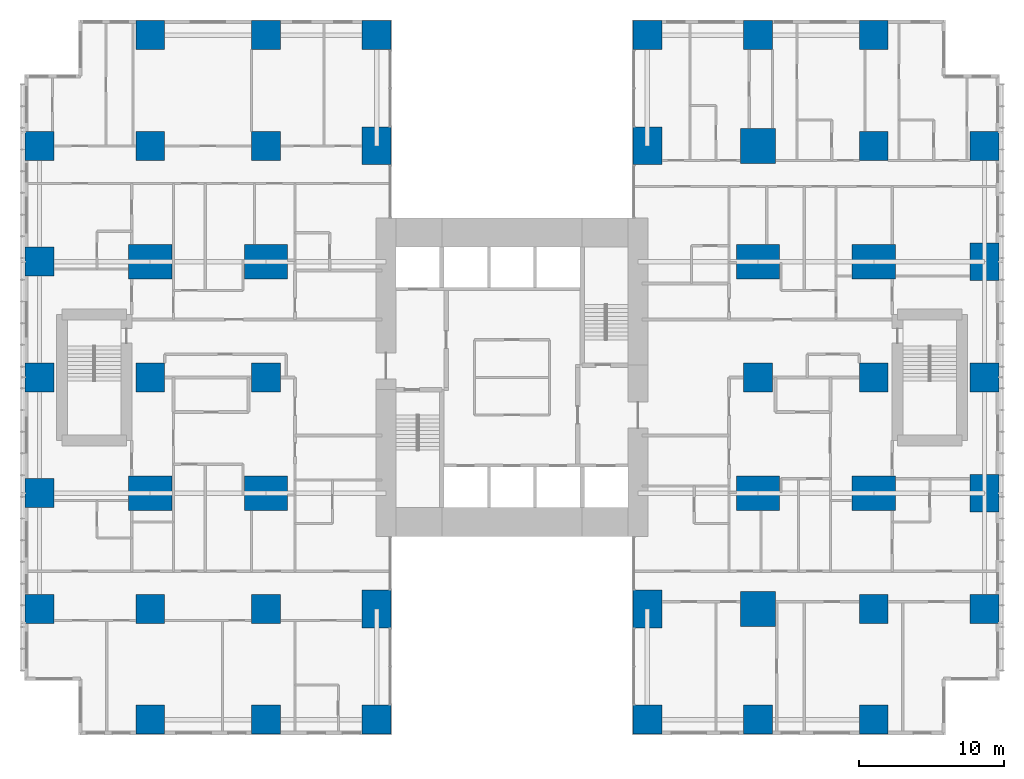
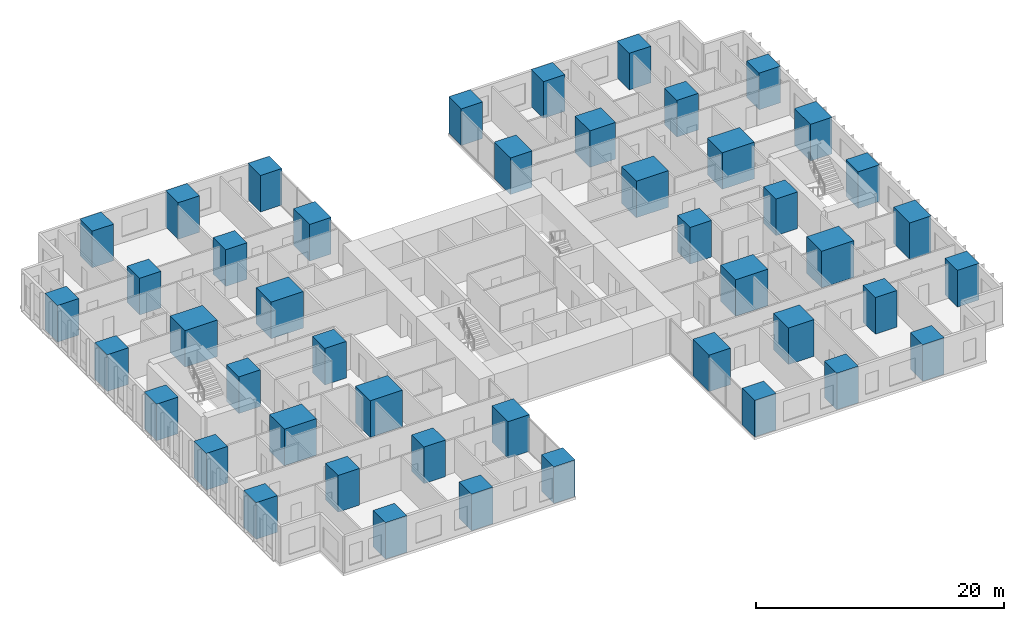
# One storey, part 1 of 21: 46 columns.
"""IFC4 building model written with IfcOpenShell, lengths in metres."""

import ifcopenshell
import ifcopenshell.guid

model = None  # the IFC model being written
_history = None  # IfcOwnerHistory: only IFC2X3 demands one
_inside = {}  # id of a spatial element -> (the spatial element, [elements in it])
_under = {}  # id of a project, library or spatial element -> (it, [spatial elements below it])
_declared = {}  # id of a project -> (the project, [libraries it declares])
_typed = {}  # id of a type object -> (the type object, [elements of that type])
_made_of = {}  # id of a material, layer set ... -> (it, [elements and type objects made of it])


def new_model(schema):
    """Start an empty IFC model of exactly this schema.

    Asked for "IFC4X3", IfcOpenShell would pick the latest addendum, in which some entities
    have other attributes; the version numbers below select the first issue.
    IFC2X3 requires an IfcOwnerHistory on every rooted entity: one is made here for all.
    """
    global model, _history
    if schema == "IFC4X3":
        model = ifcopenshell.file(schema_version=(4, 3, 0, 0))
    else:
        model = ifcopenshell.file(schema=schema)
    _inside.clear()
    _under.clear()
    _declared.clear()
    _typed.clear()
    _made_of.clear()
    _history = None
    if model.schema == "IFC2X3":
        org = make("IfcOrganization", Name="unknown")
        user = make(
            "IfcPersonAndOrganization",
            ThePerson=make("IfcPerson", FamilyName="unknown"),
            TheOrganization=org,
        )
        app = make(
            "IfcApplication",
            ApplicationDeveloper=org,
            Version="unknown",
            ApplicationFullName="unknown",
            ApplicationIdentifier="unknown",
        )
        _history = make(
            "IfcOwnerHistory",
            OwningUser=user,
            OwningApplication=app,
            ChangeAction="ADDED",
            CreationDate=0,
        )
    return model


def make(cls, **values):
    """One entity of the class cls with the attributes given. An attribute that is None is left unset."""
    return model.create_entity(
        cls, **{name: value for name, value in values.items() if value is not None}
    )


def rooted(cls, **values):
    """An entity with a GlobalId (a new one), such as an element, a storey or a relation."""
    return make(cls, GlobalId=ifcopenshell.guid.new(), OwnerHistory=_history, **values)


def si_unit(unit_type, name, prefix=None):
    """IfcSIUnit, for example si_unit("LENGTHUNIT", "METRE", prefix="MILLI")."""
    return make("IfcSIUnit", UnitType=unit_type, Prefix=prefix, Name=name)


def assignment(units):
    """IfcUnitAssignment: the units of a project."""
    return None if units is None else make("IfcUnitAssignment", Units=units)


def point(xyz):
    """IfcCartesianPoint."""
    return None if xyz is None else make("IfcCartesianPoint", Coordinates=xyz)


def direction(xyz):
    """IfcDirection."""
    return None if xyz is None else make("IfcDirection", DirectionRatios=xyz)


def frame(location, z_axis=None, x_axis=None):
    """IfcAxis2Placement3D, a coordinate frame: its origin and axes. An axis left out is left unset."""
    return make(
        "IfcAxis2Placement3D",
        Location=point(location),
        Axis=direction(z_axis),
        RefDirection=direction(x_axis),
    )


def frame_2d(location, x_axis=None):
    """IfcAxis2Placement2D, a coordinate frame in the plane: its origin and x axis."""
    return make(
        "IfcAxis2Placement2D", Location=point(location), RefDirection=direction(x_axis)
    )


def origin():
    """The frame at (0, 0, 0) with its axes left unset."""
    return frame((0.0, 0.0, 0.0))


def origin_2d():
    """The frame at (0, 0) in the plane with its x axis left unset."""
    return frame_2d((0.0, 0.0))


def place(relative_to, where):
    """IfcLocalPlacement: puts the frame where relative to a parent placement (None: the world)."""
    return make(
        "IfcLocalPlacement", PlacementRelTo=relative_to, RelativePlacement=where
    )


def context(
    kind, dimensions, precision=None, world=None, true_north=None, identifier=None
):
    """IfcGeometricRepresentationContext, for example the 3D "Model" context."""
    return make(
        "IfcGeometricRepresentationContext",
        ContextIdentifier=identifier,
        ContextType=kind,
        CoordinateSpaceDimension=dimensions,
        Precision=precision,
        WorldCoordinateSystem=world,
        TrueNorth=true_north,
    )


def subcontext(parent, identifier, kind, view, scale=None):
    """IfcGeometricRepresentationSubContext, for example "Body" below "Model"."""
    return make(
        "IfcGeometricRepresentationSubContext",
        ContextIdentifier=identifier,
        ContextType=kind,
        ParentContext=parent,
        TargetScale=scale,
        TargetView=view,
    )


def project(units=None, contexts=None):
    """IfcProject with its units and contexts."""
    return rooted(
        "IfcProject",
        Name="project",
        RepresentationContexts=contexts,
        UnitsInContext=assignment(units),
    )


def spatial(cls, under=None, at=None, **own):
    """A site, building, storey or space (cls), placed at a placement, below another one or the project."""
    s = rooted(cls, ObjectPlacement=at, **own)
    if under is not None:
        _under.setdefault(under.id(), (under, []))[1].append(s)
    return s


def profile(cls, at=None, kind="AREA", **sizes):
    """A parametric profile (cls). Its sizes go by their IFC names, for example OverallWidth=200.0."""
    return make(cls, ProfileType=kind, Position=at, **sizes)


def rectangle(**sizes):
    """IfcRectangleProfileDef."""
    return profile("IfcRectangleProfileDef", **sizes)


def extrude(swept, where, along, depth):
    """IfcExtrudedAreaSolid: the profile swept, set in the frame where, extruded along a direction by depth."""
    return make(
        "IfcExtrudedAreaSolid",
        SweptArea=swept,
        Position=where,
        ExtrudedDirection=direction(along),
        Depth=depth,
    )


def shape(context_of_items, identifier, shape_type, items):
    """IfcShapeRepresentation: the items that make up one representation, for example the "Body"."""
    return make(
        "IfcShapeRepresentation",
        ContextOfItems=context_of_items,
        RepresentationIdentifier=identifier,
        RepresentationType=shape_type,
        Items=items,
    )


def material(Name=None, Category=None):
    """IfcMaterial."""
    return make("IfcMaterial", Name=Name, Category=Category)


def material_profile(
    of_material, cross_section, Name=None, Category=None, Priority=None
):
    """IfcMaterialProfile: a cross section and its material."""
    return make(
        "IfcMaterialProfile",
        Name=Name,
        Material=of_material,
        Profile=cross_section,
        Priority=Priority,
        Category=Category,
    )


def profile_set(profiles, Name=None, composite=None):
    """IfcMaterialProfileSet."""
    return make(
        "IfcMaterialProfileSet",
        Name=Name,
        MaterialProfiles=profiles,
        CompositeProfile=composite,
    )


def made_of(thing, what):
    """Note that an element or type object is made of a material, layer set ...; save() writes the relation."""
    if what is not None:
        _made_of.setdefault(what.id(), (what, []))[1].append(thing)
    return thing


def type_object(cls, material=None, **own):
    """A type object (cls), such as IfcWallType, which elements share."""
    return made_of(rooted(cls, **own), material)


def element(
    cls,
    number,
    at=None,
    inside=None,
    cuts=None,
    type_object=None,
    material=None,
    context=None,
    identifier="Body",
    shape_type=None,
    held_by="IfcProductDefinitionShape",
    body=None,
    shapes=None,
    **own,
):
    """One element of the class cls, such as IfcWall. Its Tag is "e" and its number.

    at: its placement. inside: the storey or other place that contains it. cuts: it is an
    opening in that element (IfcRelVoidsElement). A single representation is given by context,
    identifier, shape_type and body (its items); several are given by shapes. held_by: the class
    of the entity that holds the representations. save() writes the other relations.
    """
    e = rooted(cls, Tag="e%d" % number, ObjectPlacement=at, **own)
    if body is not None:
        shapes = [shape(context, identifier, shape_type, body)]
    if shapes is not None:
        e.Representation = make(held_by, Representations=shapes)
    if inside is not None:
        _inside.setdefault(inside.id(), (inside, []))[1].append(e)
    if cuts is not None:
        rooted(
            "IfcRelVoidsElement", RelatingBuildingElement=cuts, RelatedOpeningElement=e
        )
    if type_object is not None:
        _typed.setdefault(type_object.id(), (type_object, []))[1].append(e)
    return made_of(e, material)


def aggregate(whole, parts):
    """IfcRelAggregates: a whole, such as a stair, and the parts it consists of."""
    return rooted("IfcRelAggregates", RelatingObject=whole, RelatedObjects=parts)


def save(model, path):
    """Write the relations noted so far, then the file.

    IfcRelAggregates (storeys below a building ...), IfcRelContainedInSpatialStructure (elements
    in a storey), IfcRelDefinesByType, IfcRelAssociatesMaterial and IfcRelDeclares: one each for
    every whole, place, type object, material and project.
    """
    for whole, parts in _under.values():
        aggregate(whole, parts)
    for where, things in _inside.values():
        rooted(
            "IfcRelContainedInSpatialStructure",
            RelatedElements=things,
            RelatingStructure=where,
        )
    for kind, things in _typed.values():
        rooted("IfcRelDefinesByType", RelatedObjects=things, RelatingType=kind)
    for what, things in _made_of.values():
        rooted("IfcRelAssociatesMaterial", RelatedObjects=things, RelatingMaterial=what)
    for by, libraries in _declared.values():
        rooted("IfcRelDeclares", RelatingContext=by, RelatedDefinitions=libraries)
    model.write(path)


model = new_model("IFC4")

# Units and contexts
model_context = context("Model", 3, precision=1e-05, world=origin(), true_north=direction((0.0, 1.0)))
body_context = subcontext(model_context, "Body", "Model", "MODEL_VIEW")
ifc_project = project(units=[si_unit("LENGTHUNIT", "METRE"), si_unit("AREAUNIT", "SQUARE_METRE"), si_unit("VOLUMEUNIT", "CUBIC_METRE"), si_unit("PLANEANGLEUNIT", "RADIAN"), si_unit("MASSUNIT", "GRAM", prefix="KILO")], contexts=[model_context])

# Site, building, storey
site_placement = place(None, origin())
site = spatial("IfcSite", under=ifc_project, at=site_placement, CompositionType="ELEMENT")
building_placement = place(site_placement, origin())
building = spatial("IfcBuilding", under=site, at=building_placement, Name="Cleftline Residences", CompositionType="ELEMENT")
storey_placement = place(building_placement, frame((0.0, 0.0, 58.39990234375)))
storey = spatial("IfcBuildingStorey", under=building, at=storey_placement, Name="L14", CompositionType="ELEMENT", Elevation=58.39990234375)

# Columns
ifc_material_1 = material(Name="Concrete B70", Category="concrete")
ifc_material_profile_1 = material_profile(ifc_material_1, rectangle(XDim=2.0, YDim=2.0, at=origin_2d()))
ifc_profile_set_1 = profile_set([ifc_material_profile_1], Name="Concrete B70")
column_type_1 = type_object("IfcColumnType", Name="COLUMN RC2000X2000", PredefinedType="COLUMN", material=ifc_profile_set_1)
for number, where, z_axis, x_axis, name in (
    (1, (0.35009765625, 8.0, 0.0), (0.0, 0.0, 1.0), (1.0, 0.0, 0.0), "Column D/3"),
    (2, (0.35009765625, 16.0, 0.0), (0.0, 0.0, 1.0), (1.0, 0.0, 0.0), "Column E/3"),
    (3, (0.35009765625, 24.0, 0.0), (0.0, 0.0, 1.0), (1.0, 0.0, 0.0), "Column F/3"),
    (4, (0.35009765625, 32.0, 0.0), (0.0, 0.0, 1.0), (1.0, 0.0, 0.0), "Column G/3"),
    (5, (0.35009765625, 40.0, 0.0), (0.0, 0.0, 1.0), (1.0, 0.0, 0.0), "Column H/3"),
    (6, (8.0, 0.35009765625, 0.0), (0.0, 0.0, 1.0), (1.0, 0.0, 0.0), "Column C/4"),
    (7, (8.0, 8.0, 0.0), (0.0, 0.0, 1.0), (1.0, 0.0, 0.0), "Column D/4"),
    (8, (8.0, 24.0, 0.0), (0.0, 0.0, 1.0), (1.0, 0.0, 0.0), "Column F/4"),
    (9, (8.0, 40.0, 0.0), (0.0, 0.0, 1.0), (1.0, 0.0, 0.0), "Column H/4"),
    (10, (8.0, 47.64990234375, 0.0), (0.0, 0.0, 1.0), (1.0, 0.0, 0.0), "Column J/4"),
    (11, (16.0, 0.35009765625, 0.0), (0.0, 0.0, 1.0), (1.0, 0.0, 0.0), "Column C/5"),
    (12, (16.0, 8.0, 0.0), (0.0, 0.0, 1.0), (1.0, 0.0, 0.0), "Column D/5"),
    (13, (16.0, 24.0, 0.0), (0.0, 0.0, 1.0), (1.0, 0.0, 0.0), "Column F/5"),
    (14, (16.0, 40.0, 0.0), (0.0, 0.0, 1.0), (1.0, 0.0, 0.0), "Column H/5"),
    (15, (16.0, 47.64990234375, 0.0), (0.0, 0.0, 1.0), (1.0, 0.0, 0.0), "Column J/5"),
    (16, (23.64990234375, 0.35009765625, 0.0), (0.0, 0.0, 1.0), (1.0, 0.0, 0.0), "Column C/6"),
    (17, (23.64990234375, 47.64990234375, 0.0), (0.0, 0.0, 1.0), (1.0, 0.0, 0.0), "Column J/6"),
    (18, (42.35009765625, 0.35009765625, 0.0), (0.0, 0.0, 1.0), (1.0, 0.0, 0.0), "Column C/8"),
    (19, (42.35009765625, 47.64990234375, 0.0), (0.0, 0.0, 1.0), (1.0, 0.0, 0.0), "Column J/8"),
    (20, (50.0, 0.35009765625, 0.0), (0.0, 0.0, 1.0), (1.0, 0.0, 0.0), "Column C/9"),
    (21, (50.0, 24.0, 0.0), (0.0, 0.0, 1.0), (1.0, 0.0, 0.0), "Column F/9"),
    (22, (50.0, 47.64990234375, 0.0), (0.0, 0.0, 1.0), (1.0, 0.0, 0.0), "Column J/9"),
    (23, (58.0, 0.35009765625, 0.0), (0.0, 0.0, 1.0), (1.0, 0.0, 0.0), "Column C/10"),
    (24, (58.0, 8.0, 0.0), (0.0, 0.0, 1.0), (1.0, 0.0, 0.0), "Column D/10"),
    (25, (58.0, 24.0, 0.0), (0.0, 0.0, 1.0), (1.0, 0.0, 0.0), "Column F/10"),
    (26, (58.0, 40.0, 0.0), (0.0, 0.0, 1.0), (1.0, 0.0, 0.0), "Column H/10"),
    (27, (58.0, 47.64990234375, 0.0), (0.0, 0.0, 1.0), (1.0, 0.0, 0.0), "Column J/10"),
    (28, (65.64990234375, 8.0, 0.0), (0.0, 0.0, 1.0), (1.0, 0.0, 0.0), "Column D/11"),
    (29, (65.64990234375, 24.0, 0.0), (0.0, 0.0, 1.0), (1.0, 0.0, 0.0), "Column F/11"),
    (30, (65.64990234375, 40.0, 0.0), (0.0, 0.0, 1.0), (1.0, 0.0, 0.0), "Column H/11"),
):
    element("IfcColumn", number, at=place(storey_placement, frame(where, z_axis=z_axis, x_axis=x_axis)), inside=storey, type_object=column_type_1, Name=name, PredefinedType="COLUMN", context=body_context, shape_type="SweptSolid", body=[
        extrude(rectangle(XDim=2.0, YDim=2.0, at=origin_2d()), origin(), (0.0, 0.0, 1.0), 3.60009765625),
    ])
ifc_material_2 = material(Name="Concrete B70", Category="concrete")
ifc_material_profile_2 = material_profile(ifc_material_2, rectangle(XDim=2.0, YDim=2.60009765625, at=origin_2d()))
ifc_profile_set_2 = profile_set([ifc_material_profile_2], Name="Concrete B70")
column_type_2 = type_object("IfcColumnType", Name="COLUMN RC2000X2600", PredefinedType="COLUMN", material=ifc_profile_set_2)
for number, where, z_axis, x_axis, name in (
    (31, (23.64990234375, 8.0, 0.0), (0.0, 0.0, 1.0), (1.0, 0.0, 0.0), "Column D/6"),
    (32, (23.64990234375, 40.0, 0.0), (0.0, 0.0, 1.0), (1.0, 0.0, 0.0), "Column H/6"),
    (33, (42.35009765625, 8.0, 0.0), (0.0, 0.0, 1.0), (1.0, 0.0, 0.0), "Column D/8"),
    (34, (42.35009765625, 40.0, 0.0), (0.0, 0.0, 1.0), (1.0, 0.0, 0.0), "Column H/8"),
):
    element("IfcColumn", number, at=place(storey_placement, frame(where, z_axis=z_axis, x_axis=x_axis)), inside=storey, type_object=column_type_2, Name=name, PredefinedType="COLUMN", context=body_context, shape_type="SweptSolid", body=[
        extrude(rectangle(XDim=2.0, YDim=2.60009765625, at=origin_2d()), origin(), (0.0, 0.0, 1.0), 3.60009765625),
    ])
ifc_material_3 = material(Name="Concrete B70", Category="concrete")
ifc_material_profile_3 = material_profile(ifc_material_3, rectangle(XDim=2.39990234375, YDim=2.39990234375, at=origin_2d()))
ifc_profile_set_3 = profile_set([ifc_material_profile_3], Name="Concrete B70")
column_type_3 = type_object("IfcColumnType", Name="COLUMN RC2400X2400", PredefinedType="COLUMN", material=ifc_profile_set_3)
for number, where, z_axis, x_axis, name in (
    (35, (50.0, 8.0, 0.0), (0.0, 0.0, 1.0), (1.0, 0.0, 0.0), "Column D/9"),
    (36, (50.0, 40.0, 0.0), (0.0, 0.0, 1.0), (1.0, 0.0, 0.0), "Column H/9"),
):
    element("IfcColumn", number, at=place(storey_placement, frame(where, z_axis=z_axis, x_axis=x_axis)), inside=storey, type_object=column_type_3, Name=name, PredefinedType="COLUMN", context=body_context, shape_type="SweptSolid", body=[
        extrude(rectangle(XDim=2.39990234375, YDim=2.39990234375, at=origin_2d()), origin(), (0.0, 0.0, 1.0), 3.60009765625),
    ])
ifc_material_4 = material(Name="Concrete B70", Category="concrete")
ifc_material_profile_4 = material_profile(ifc_material_4, rectangle(XDim=2.60009765625, YDim=2.0, at=origin_2d()))
ifc_profile_set_4 = profile_set([ifc_material_profile_4], Name="Concrete B70")
column_type_4 = type_object("IfcColumnType", Name="COLUMN RC2600X2000", PredefinedType="COLUMN", material=ifc_profile_set_4)
for number, where, z_axis, x_axis, name in (
    (37, (65.64990234375, 16.0, 0.0), (0.0, 0.0, 1.0), (0.0, 1.0, 0.0), "Column E/11"),
    (38, (65.64990234375, 32.0, 0.0), (0.0, 0.0, 1.0), (0.0, 1.0, 0.0), "Column G/11"),
):
    element("IfcColumn", number, at=place(storey_placement, frame(where, z_axis=z_axis, x_axis=x_axis)), inside=storey, type_object=column_type_4, Name=name, PredefinedType="COLUMN", context=body_context, shape_type="SweptSolid", body=[
        extrude(rectangle(XDim=2.60009765625, YDim=2.0, at=origin_2d()), origin(), (0.0, 0.0, 1.0), 3.60009765625),
    ])
ifc_material_5 = material(Name="Concrete B70", Category="concrete")
ifc_material_profile_5 = material_profile(ifc_material_5, rectangle(XDim=3.0, YDim=2.39990234375, at=origin_2d()))
ifc_profile_set_5 = profile_set([ifc_material_profile_5], Name="Concrete B70")
column_type_5 = type_object("IfcColumnType", Name="COLUMN RC3000X2400", PredefinedType="COLUMN", material=ifc_profile_set_5)
for number, where, z_axis, x_axis, name in (
    (39, (8.0, 16.0, 0.0), (0.0, 0.0, 1.0), (1.0, 0.0, 0.0), "Column E/4"),
    (40, (8.0, 32.0, 0.0), (0.0, 0.0, 1.0), (1.0, 0.0, 0.0), "Column G/4"),
    (41, (16.0, 16.0, 0.0), (0.0, 0.0, 1.0), (1.0, 0.0, 0.0), "Column E/5"),
    (42, (16.0, 32.0, 0.0), (0.0, 0.0, 1.0), (1.0, 0.0, 0.0), "Column G/5"),
    (43, (50.0, 16.0, 0.0), (0.0, 0.0, 1.0), (1.0, 0.0, 0.0), "Column E/9"),
    (44, (50.0, 32.0, 0.0), (0.0, 0.0, 1.0), (1.0, 0.0, 0.0), "Column G/9"),
    (45, (58.0, 16.0, 0.0), (0.0, 0.0, 1.0), (1.0, 0.0, 0.0), "Column E/10"),
    (46, (58.0, 32.0, 0.0), (0.0, 0.0, 1.0), (1.0, 0.0, 0.0), "Column G/10"),
):
    element("IfcColumn", number, at=place(storey_placement, frame(where, z_axis=z_axis, x_axis=x_axis)), inside=storey, type_object=column_type_5, Name=name, PredefinedType="COLUMN", context=body_context, shape_type="SweptSolid", body=[
        extrude(rectangle(XDim=3.0, YDim=2.39990234375, at=origin_2d()), origin(), (0.0, 0.0, 1.0), 3.60009765625),
    ])

save(model, "model.ifc")
